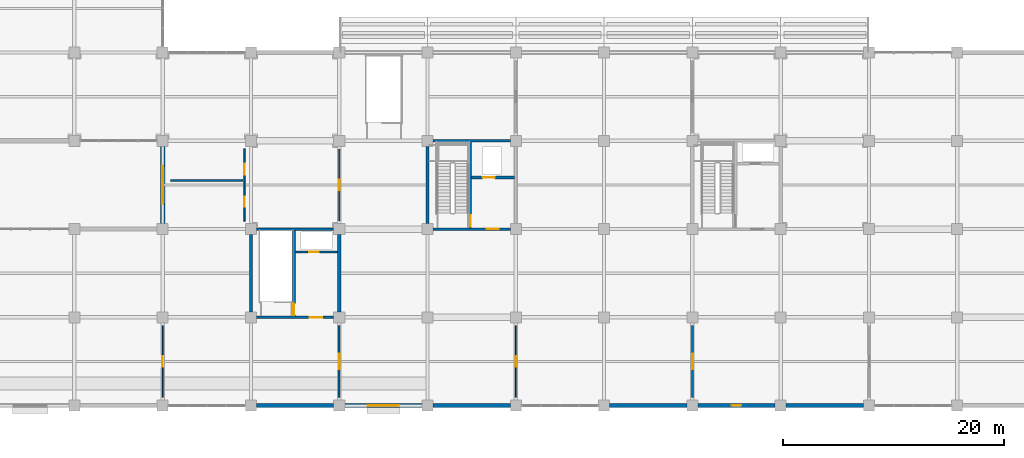
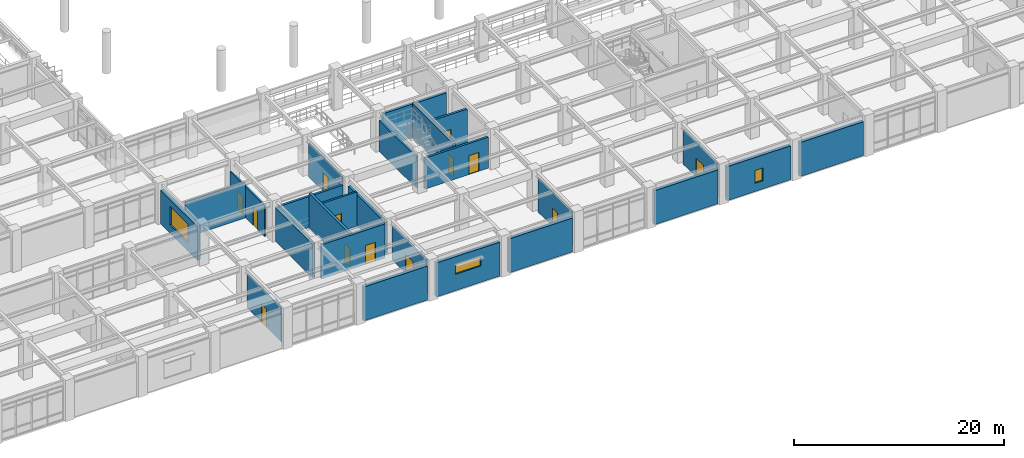
# One storey, part 72 of 117: 25 walls, 13 doors, 3 windows, 16 openings.
"""IFC4 building model written with IfcOpenShell, lengths in metres."""

from ifc_helpers import new_model, si_unit, direction, frame, frame_2d, origin, place, context, subcontext, project, spatial, rectangle, extrude, material, layer, layer_set, type_object, element, fill, save


model = new_model("IFC4")

# Units and contexts
model_context = context("Model", 3, precision=1e-05, world=origin(), true_north=direction((0.0, 1.0)))
body_context = subcontext(model_context, "Body", "Model", "MODEL_VIEW")
ifc_project = project(units=[si_unit("LENGTHUNIT", "METRE"), si_unit("AREAUNIT", "SQUARE_METRE"), si_unit("VOLUMEUNIT", "CUBIC_METRE"), si_unit("PLANEANGLEUNIT", "RADIAN"), si_unit("MASSUNIT", "GRAM", prefix="KILO")], contexts=[model_context])

# Site, building, storey
site_placement = place(None, origin())
site = spatial("IfcSite", under=ifc_project, at=site_placement, CompositionType="ELEMENT")
building_placement = place(site_placement, origin())
building = spatial("IfcBuilding", under=site, at=building_placement, Name="Haebicheon Civic Stadium", CompositionType="ELEMENT")
storey_placement = place(building_placement, frame((0.0, 0.0, 4.800048828125)))
storey = spatial("IfcBuildingStorey", under=building, at=storey_placement, Name="L02", CompositionType="ELEMENT", Elevation=4.800048828125)

# Wall, opening, door
ifc_material_1 = material(Name="Concrete C40/50", Category="concrete")
ifc_layer_1 = layer(ifc_material_1, 0.239990234375, Name="Concrete C40/50")
ifc_layer_set_1 = layer_set([ifc_layer_1], Name="Concrete C40/50")
wall_type_1 = type_object("IfcWallType", Name="CW-SHR-240", PredefinedType="SHEAR", material=ifc_layer_set_1)
wall_1_placement = place(storey_placement, frame((88.5, 16.0, 0.0), z_axis=(0.0, 0.0, 1.0), x_axis=(1.0, 0.0, 0.0)))
wall_1 = element("IfcWall", 1, at=wall_1_placement, inside=storey, type_object=wall_type_1, material=ifc_layer_set_1, Name="KC-06 L02 south core shear wall", PredefinedType="SHEAR", context=body_context, shape_type="SweptSolid", body=[
    extrude(rectangle(XDim=7.0, YDim=0.239990234375, at=frame_2d((3.5, 0.0))), origin(), (0.0, 0.0, 1.0), 3.60986328125),
])
opening_1_placement = place(wall_1_placement, frame((4.85009765625, 0.0, 0.0)))
opening_1 = element("IfcOpeningElement", 2, at=opening_1_placement, cuts=wall_1, Name="Opening D-L02-KC-06-LOB", PredefinedType="OPENING", context=body_context, shape_type="SweptSolid", body=[
    extrude(rectangle(XDim=1.10009765625, YDim=2.199951171875, at=frame_2d((0.550048828125, 1.10009765625))), frame((0.0, 0.1298828125, 0.0), z_axis=(0.0, -1.0, 0.0), x_axis=(1.0, 0.0, 0.0)), (0.0, 0.0, 1.0), 0.260009765625),
])
ifc_material_2 = material(Name="Galvanised painted steel SM355", Category="steel")
door_type_1 = type_object("IfcDoorType", Name="ID-FD-1100", OperationType="NOTDEFINED", PredefinedType="DOOR", material=ifc_material_2)
door_1_placement = place(opening_1_placement, origin())
door_1 = element("IfcDoor", 3, at=door_1_placement, inside=storey, type_object=door_type_1, material=ifc_material_2, Name="L02 KC-06 lobby fire door", OperationType="SINGLE_SWING_LEFT", OverallHeight=2.199951171875, OverallWidth=1.10009765625, PredefinedType="DOOR", context=body_context, shape_type="SweptSolid", body=[
    extrude(rectangle(XDim=1.10009765625, YDim=2.199951171875, at=frame_2d((0.550048828125, 1.10009765625))), frame((0.0, 0.02490234375, 0.0), z_axis=(0.0, -1.0, 0.0), x_axis=(1.0, 0.0, 0.0)), (0.0, 0.0, 1.0), 0.050048828125),
])
fill(opening_1, door_1)

# Walls
wall_2_placement = place(storey_placement, frame((88.5, 24.0, 0.0), z_axis=(0.0, 0.0, 1.0), x_axis=(1.0, 0.0, 0.0)))
element("IfcWall", 4, at=wall_2_placement, inside=storey, type_object=wall_type_1, material=ifc_layer_set_1, Name="KC-06 L02 north core shear wall", PredefinedType="SHEAR", context=body_context, shape_type="SweptSolid", body=[
    extrude(rectangle(XDim=7.0, YDim=0.239990234375, at=frame_2d((3.5, 0.0))), origin(), (0.0, 0.0, 1.0), 3.909912109375),
])
wall_3_placement = place(storey_placement, frame((88.0, 16.5, 0.0), z_axis=(0.0, 0.0, 1.0), x_axis=(0.0, 1.0, 0.0)))
element("IfcWall", 5, at=wall_3_placement, inside=storey, type_object=wall_type_1, material=ifc_layer_set_1, Name="KC-06 L02 west core shear wall", PredefinedType="SHEAR", context=body_context, shape_type="SweptSolid", body=[
    extrude(rectangle(XDim=7.0, YDim=0.239990234375, at=frame_2d((3.5, 0.0))), origin(), (0.0, 0.0, 1.0), 3.60986328125),
])

# Wall, opening, door
wall_4_placement = place(storey_placement, frame((91.8798828125, 16.1201171875, 0.0), z_axis=(0.0, 0.0, 1.0), x_axis=(0.0, 1.0, 0.0)))
wall_4 = element("IfcWall", 6, at=wall_4_placement, inside=storey, type_object=wall_type_1, material=ifc_layer_set_1, Name="KC-06 L02 stair-lobby dividing shear wall", PredefinedType="SHEAR", context=body_context, shape_type="SweptSolid", body=[
    extrude(rectangle(XDim=7.759765625, YDim=0.239990234375, at=frame_2d((3.8798828125, 0.0))), origin(), (0.0, 0.0, 1.0), 4.010009765625),
])
opening_2_placement = place(wall_4_placement, frame((0.080078125, 0.0, 0.0)))
opening_2 = element("IfcOpeningElement", 7, at=opening_2_placement, cuts=wall_4, Name="Opening D-L02-KC-06-STR", PredefinedType="OPENING", context=body_context, shape_type="SweptSolid", body=[
    extrude(rectangle(XDim=1.050048828125, YDim=2.14990234375, at=frame_2d((0.52490234375, 1.074951171875))), frame((0.0, 0.1298828125, 0.0), z_axis=(0.0, -1.0, 0.0), x_axis=(1.0, 0.0, 0.0)), (0.0, 0.0, 1.0), 0.260009765625),
])
ifc_material_3 = material(Name="Galvanised painted steel SM355", Category="steel")
door_type_2 = type_object("IfcDoorType", Name="ID-FD-1050", OperationType="NOTDEFINED", PredefinedType="DOOR", material=ifc_material_3)
door_2_placement = place(opening_2_placement, origin())
door_2 = element("IfcDoor", 8, at=door_2_placement, inside=storey, type_object=door_type_2, material=ifc_material_3, Name="L02 ST-06 stairwell escape door", OperationType="SINGLE_SWING_RIGHT", OverallHeight=2.14990234375, OverallWidth=1.050048828125, PredefinedType="DOOR", context=body_context, shape_type="SweptSolid", body=[
    extrude(rectangle(XDim=1.050048828125, YDim=2.14990234375, at=frame_2d((0.52490234375, 1.074951171875))), frame((0.0, 0.02490234375, 0.0), z_axis=(0.0, -1.0, 0.0), x_axis=(1.0, 0.0, 0.0)), (0.0, 0.0, 1.0), 0.050048828125),
])
fill(opening_2, door_2)

wall_5_placement = place(storey_placement, frame((92.0, 20.679931640625, 0.0), z_axis=(0.0, 0.0, 1.0), x_axis=(1.0, 0.0, 0.0)))
wall_5 = element("IfcWall", 9, at=wall_5_placement, inside=storey, type_object=wall_type_1, material=ifc_layer_set_1, Name="KC-06 L02 lift shaft front wall", PredefinedType="SHEAR", context=body_context, shape_type="SweptSolid", body=[
    extrude(rectangle(XDim=3.8798828125, YDim=0.239990234375, at=frame_2d((1.93994140625, 0.0))), origin(), (0.0, 0.0, 1.0), 3.909912109375),
])
opening_3_placement = place(wall_5_placement, frame((1.0, 0.0, 0.0)))
opening_3 = element("IfcOpeningElement", 10, at=opening_3_placement, cuts=wall_5, Name="Opening LD-05-L02", PredefinedType="OPENING", context=body_context, shape_type="SweptSolid", body=[
    extrude(rectangle(XDim=1.10009765625, YDim=2.14990234375, at=frame_2d((0.550048828125, 1.074951171875))), frame((0.0, 0.1298828125, 0.0), z_axis=(0.0, -1.0, 0.0), x_axis=(1.0, 0.0, 0.0)), (0.0, 0.0, 1.0), 0.260009765625),
])
ifc_material_4 = material(Name="Stainless steel 316", Category="steel")
door_type_3 = type_object("IfcDoorType", Name="ID-LD-1100", OperationType="NOTDEFINED", PredefinedType="DOOR", material=ifc_material_4)
door_3_placement = place(opening_3_placement, origin())
door_3 = element("IfcDoor", 11, at=door_3_placement, inside=storey, type_object=door_type_3, material=ifc_material_4, Name="LF-05 lift landing sliding door L02", OperationType="SLIDING_TO_LEFT", OverallHeight=2.14990234375, OverallWidth=1.10009765625, PredefinedType="DOOR", context=body_context, shape_type="SweptSolid", body=[
    extrude(rectangle(XDim=1.10009765625, YDim=2.14990234375, at=frame_2d((0.550048828125, 1.074951171875))), frame((0.0, 0.02490234375, 0.0), z_axis=(0.0, -1.0, 0.0), x_axis=(1.0, 0.0, 0.0)), (0.0, 0.0, 1.0), 0.050048828125),
])
fill(opening_3, door_3)

wall_6_placement = place(storey_placement, frame((72.5, 8.0, 0.0), z_axis=(0.0, 0.0, 1.0), x_axis=(1.0, 0.0, 0.0)))
wall_6 = element("IfcWall", 12, at=wall_6_placement, inside=storey, type_object=wall_type_1, material=ifc_layer_set_1, Name="KC-16 L02 south core shear wall", PredefinedType="SHEAR", context=body_context, shape_type="SweptSolid", body=[
    extrude(rectangle(XDim=7.0, YDim=0.239990234375, at=frame_2d((3.5, 0.0))), origin(), (0.0, 0.0, 1.0), 3.969970703125),
])
opening_4_placement = place(wall_6_placement, frame((4.85009765625, 0.0, 0.0)))
opening_4 = element("IfcOpeningElement", 13, at=opening_4_placement, cuts=wall_6, Name="Opening D-L02-KC-16-LOB", PredefinedType="OPENING", context=body_context, shape_type="SweptSolid", body=[
    extrude(rectangle(XDim=1.10009765625, YDim=2.199951171875, at=frame_2d((0.550048828125, 1.10009765625))), frame((0.0, 0.1298828125, 0.0), z_axis=(0.0, -1.0, 0.0), x_axis=(1.0, 0.0, 0.0)), (0.0, 0.0, 1.0), 0.260009765625),
])
door_4_placement = place(opening_4_placement, origin())
door_4 = element("IfcDoor", 14, at=door_4_placement, inside=storey, type_object=door_type_1, material=ifc_material_2, Name="L02 KC-16 lobby fire door", OperationType="SINGLE_SWING_RIGHT", OverallHeight=2.199951171875, OverallWidth=1.10009765625, PredefinedType="DOOR", context=body_context, shape_type="SweptSolid", body=[
    extrude(rectangle(XDim=1.10009765625, YDim=2.199951171875, at=frame_2d((0.550048828125, 1.10009765625))), frame((0.0, 0.02490234375, 0.0), z_axis=(0.0, -1.0, 0.0), x_axis=(1.0, 0.0, 0.0)), (0.0, 0.0, 1.0), 0.050048828125),
])
fill(opening_4, door_4)

# Walls
wall_7_placement = place(storey_placement, frame((72.5, 16.0, 0.0), z_axis=(0.0, 0.0, 1.0), x_axis=(1.0, 0.0, 0.0)))
element("IfcWall", 15, at=wall_7_placement, inside=storey, type_object=wall_type_1, material=ifc_layer_set_1, Name="KC-16 L02 north core shear wall", PredefinedType="SHEAR", context=body_context, shape_type="SweptSolid", body=[
    extrude(rectangle(XDim=7.0, YDim=0.239990234375, at=frame_2d((3.5, 0.0))), origin(), (0.0, 0.0, 1.0), 3.60986328125),
])
ifc_material_5 = material(Name="Concrete C40/50", Category="concrete")
ifc_layer_2 = layer(ifc_material_5, 0.300048828125, Name="Concrete C40/50")
ifc_layer_set_2 = layer_set([ifc_layer_2], Name="Concrete C40/50")
wall_type_2 = type_object("IfcWallType", Name="CW-SHR-300", PredefinedType="SHEAR", material=ifc_layer_set_2)
wall_8_placement = place(storey_placement, frame((72.0, 8.5, 0.0), z_axis=(0.0, 0.0, 1.0), x_axis=(0.0, 1.0, 0.0)))
element("IfcWall", 16, at=wall_8_placement, inside=storey, type_object=wall_type_2, material=ifc_layer_set_2, Name="KC-16 L02 west core shear wall", PredefinedType="SHEAR", context=body_context, shape_type="SweptSolid", body=[
    extrude(rectangle(XDim=7.0, YDim=0.300048828125, at=frame_2d((3.5, 0.0))), origin(), (0.0, 0.0, 1.0), 3.909912109375),
])
wall_9_placement = place(storey_placement, frame((80.0, 8.5, 0.0), z_axis=(0.0, 0.0, 1.0), x_axis=(0.0, 1.0, 0.0)))
element("IfcWall", 17, at=wall_9_placement, inside=storey, type_object=wall_type_2, material=ifc_layer_set_2, Name="KC-16 L02 east core shear wall", PredefinedType="SHEAR", context=body_context, shape_type="SweptSolid", body=[
    extrude(rectangle(XDim=7.0, YDim=0.300048828125, at=frame_2d((3.5, 0.0))), origin(), (0.0, 0.0, 1.0), 3.60986328125),
])

# Wall, opening, door
wall_10_placement = place(storey_placement, frame((75.8798828125, 8.1201171875, 0.0), z_axis=(0.0, 0.0, 1.0), x_axis=(0.0, 1.0, 0.0)))
wall_10 = element("IfcWall", 18, at=wall_10_placement, inside=storey, type_object=wall_type_2, material=ifc_layer_set_2, Name="KC-16 L02 stair-lobby dividing shear wall", PredefinedType="SHEAR", context=body_context, shape_type="SweptSolid", body=[
    extrude(rectangle(XDim=7.759765625, YDim=0.300048828125, at=frame_2d((3.8798828125, 0.0))), origin(), (0.0, 0.0, 1.0), 4.010009765625),
])
opening_5_placement = place(wall_10_placement, frame((0.080078125, 0.0, 0.0)))
opening_5 = element("IfcOpeningElement", 19, at=opening_5_placement, cuts=wall_10, Name="Opening D-L02-KC-16-STR", PredefinedType="OPENING", context=body_context, shape_type="SweptSolid", body=[
    extrude(rectangle(XDim=1.050048828125, YDim=2.14990234375, at=frame_2d((0.52490234375, 1.074951171875))), frame((0.0, 0.159912109375, 0.0), z_axis=(0.0, -1.0, 0.0), x_axis=(1.0, 0.0, 0.0)), (0.0, 0.0, 1.0), 0.320068359375),
])
door_5_placement = place(opening_5_placement, origin())
door_5 = element("IfcDoor", 20, at=door_5_placement, inside=storey, type_object=door_type_2, material=ifc_material_3, Name="L02 ST-16 stairwell escape door", OperationType="SINGLE_SWING_LEFT", OverallHeight=2.14990234375, OverallWidth=1.050048828125, PredefinedType="DOOR", context=body_context, shape_type="SweptSolid", body=[
    extrude(rectangle(XDim=1.050048828125, YDim=2.14990234375, at=frame_2d((0.52490234375, 1.074951171875))), frame((0.0, 0.02490234375, 0.0), z_axis=(0.0, -1.0, 0.0), x_axis=(1.0, 0.0, 0.0)), (0.0, 0.0, 1.0), 0.050048828125),
])
fill(opening_5, door_5)

# Wall, opening, window
ifc_material_6 = material(Name="Concrete C40/50", Category="concrete")
ifc_layer_3 = layer(ifc_material_6, 0.3798828125, Name="Concrete C40/50")
ifc_layer_set_3 = layer_set([ifc_layer_3], Name="Concrete C40/50")
wall_type_3 = type_object("IfcWallType", Name="EW-BM-380", PredefinedType="SOLIDWALL", material=ifc_layer_set_3)
wall_11_placement = place(storey_placement, frame((64.0, 16.5, 0.0), z_axis=(0.0, 0.0, 1.0), x_axis=(0.0, 1.0, 0.0)))
wall_11 = element("IfcWall", 21, at=wall_11_placement, inside=storey, type_object=wall_type_3, material=ifc_layer_set_3, Name="L02 board-marked concrete facade wall 08-02-W", PredefinedType="SOLIDWALL", context=body_context, shape_type="SweptSolid", body=[
    extrude(rectangle(XDim=7.0, YDim=0.3798828125, at=frame_2d((3.5, 0.0))), origin(), (0.0, 0.0, 1.0), 3.909912109375),
])
opening_6_placement = place(wall_11_placement, frame((1.77490234375, 0.0, 0.949951171875)))
opening_6 = element("IfcOpeningElement", 22, at=opening_6_placement, cuts=wall_11, Name="Opening WIN-345x220", PredefinedType="OPENING", context=body_context, shape_type="SweptSolid", body=[
    extrude(rectangle(XDim=3.449951171875, YDim=2.199951171875, at=frame_2d((1.72509765625, 1.10009765625))), frame((0.0, 0.199951171875, 0.0), z_axis=(0.0, -1.0, 0.0), x_axis=(1.0, 0.0, 0.0)), (0.0, 0.0, 1.0), 0.39990234375),
])
ifc_material_7 = material(Name="Anodised aluminium and laminated glass", Category="aluminium")
window_type_1 = type_object("IfcWindowType", Name="WIN-345x220", PartitioningType="SINGLE_PANEL", PredefinedType="WINDOW", material=ifc_material_7)
window_1_placement = place(opening_6_placement, origin())
window_1 = element("IfcWindow", 23, at=window_1_placement, inside=storey, type_object=window_type_1, material=ifc_material_7, Name="L02 facade window 040", OverallHeight=2.199951171875, OverallWidth=3.449951171875, PartitioningType="SINGLE_PANEL", PredefinedType="WINDOW", context=body_context, shape_type="SweptSolid", body=[
    extrude(rectangle(XDim=3.449951171875, YDim=2.199951171875, at=frame_2d((1.72509765625, 1.10009765625))), frame((0.0, 0.030029296875, 0.0), z_axis=(0.0, -1.0, 0.0), x_axis=(1.0, 0.0, 0.0)), (0.0, 0.0, 1.0), 0.06005859375),
])
fill(opening_6, window_1)

# Wall
wall_12_placement = place(storey_placement, frame((72.5, 0.0, 0.0), z_axis=(0.0, 0.0, 1.0), x_axis=(1.0, 0.0, 0.0)))
element("IfcWall", 24, at=wall_12_placement, inside=storey, type_object=wall_type_3, material=ifc_layer_set_3, Name="L02 board-marked concrete facade wall 09-00-S", PredefinedType="SOLIDWALL", context=body_context, shape_type="SweptSolid", body=[
    extrude(rectangle(XDim=7.0, YDim=0.3798828125, at=frame_2d((3.5, 0.0))), origin(), (0.0, 0.0, 1.0), 3.949951171875),
])

# Wall, opening, window
wall_13_placement = place(storey_placement, frame((80.5, 0.0, 0.0), z_axis=(0.0, 0.0, 1.0), x_axis=(1.0, 0.0, 0.0)))
wall_13 = element("IfcWall", 25, at=wall_13_placement, inside=storey, type_object=wall_type_3, material=ifc_layer_set_3, Name="L02 board-marked concrete facade wall 10-00-S", PredefinedType="SOLIDWALL", context=body_context, shape_type="SweptSolid", body=[
    extrude(rectangle(XDim=7.0, YDim=0.3798828125, at=frame_2d((3.5, 0.0))), origin(), (0.0, 0.0, 1.0), 3.949951171875),
])
opening_7_placement = place(wall_13_placement, frame((2.10009765625, 0.0, 1.89990234375)))
opening_7 = element("IfcOpeningElement", 26, at=opening_7_placement, cuts=wall_13, Name="Opening WIN-280x110", PredefinedType="OPENING", context=body_context, shape_type="SweptSolid", body=[
    extrude(rectangle(XDim=2.800048828125, YDim=1.10009765625, at=frame_2d((1.39990234375, 0.550048828125))), frame((0.0, 0.199951171875, 0.0), z_axis=(0.0, -1.0, 0.0), x_axis=(1.0, 0.0, 0.0)), (0.0, 0.0, 1.0), 0.39990234375),
])
ifc_material_8 = material(Name="Anodised aluminium and laminated glass", Category="aluminium")
window_type_2 = type_object("IfcWindowType", Name="WIN-280x110", PartitioningType="SINGLE_PANEL", PredefinedType="LIGHTDOME", material=ifc_material_8)
window_2_placement = place(opening_7_placement, origin())
window_2 = element("IfcWindow", 27, at=window_2_placement, inside=storey, type_object=window_type_2, material=ifc_material_8, Name="L02 facade window 043", OverallHeight=1.10009765625, OverallWidth=2.800048828125, PartitioningType="SINGLE_PANEL", PredefinedType="LIGHTDOME", context=body_context, shape_type="SweptSolid", body=[
    extrude(rectangle(XDim=2.800048828125, YDim=1.10009765625, at=frame_2d((1.39990234375, 0.550048828125))), frame((0.0, 0.030029296875, 0.0), z_axis=(0.0, -1.0, 0.0), x_axis=(1.0, 0.0, 0.0)), (0.0, 0.0, 1.0), 0.06005859375),
])
fill(opening_7, window_2)

# Walls
for number, where, z_axis, x_axis, name in (
    (28, (88.5, 0.0, 0.0), (0.0, 0.0, 1.0), (1.0, 0.0, 0.0), "L02 board-marked concrete facade wall 11-00-S"),
    (29, (104.5, 0.0, 0.0), (0.0, 0.0, 1.0), (1.0, 0.0, 0.0), "L02 board-marked concrete facade wall 13-00-S"),
):
    element("IfcWall", number, at=place(storey_placement, frame(where, z_axis=z_axis, x_axis=x_axis)), inside=storey, type_object=wall_type_3, material=ifc_layer_set_3, Name=name, PredefinedType="SOLIDWALL", context=body_context, shape_type="SweptSolid", body=[
        extrude(rectangle(XDim=7.0, YDim=0.3798828125, at=frame_2d((3.5, 0.0))), origin(), (0.0, 0.0, 1.0), 3.949951171875),
    ])

# Wall, opening, window
wall_14_placement = place(storey_placement, frame((112.5, 0.0, 0.0), z_axis=(0.0, 0.0, 1.0), x_axis=(1.0, 0.0, 0.0)))
wall_14 = element("IfcWall", 30, at=wall_14_placement, inside=storey, type_object=wall_type_3, material=ifc_layer_set_3, Name="L02 board-marked concrete facade wall 14-00-S", PredefinedType="SOLIDWALL", context=body_context, shape_type="SweptSolid", body=[
    extrude(rectangle(XDim=7.0, YDim=0.3798828125, at=frame_2d((3.5, 0.0))), origin(), (0.0, 0.0, 1.0), 3.949951171875),
])
opening_8_placement = place(wall_14_placement, frame((3.050048828125, 0.0, 0.949951171875)))
opening_8 = element("IfcOpeningElement", 31, at=opening_8_placement, cuts=wall_14, Name="Opening WIN-090x150", PredefinedType="OPENING", context=body_context, shape_type="SweptSolid", body=[
    extrude(rectangle(XDim=0.89990234375, YDim=1.5, at=frame_2d((0.449951171875, 0.75))), frame((0.0, 0.199951171875, 0.0), z_axis=(0.0, -1.0, 0.0), x_axis=(1.0, 0.0, 0.0)), (0.0, 0.0, 1.0), 0.39990234375),
])
ifc_material_9 = material(Name="Anodised aluminium and laminated glass", Category="aluminium")
window_type_3 = type_object("IfcWindowType", Name="WIN-090x150", PartitioningType="SINGLE_PANEL", PredefinedType="WINDOW", material=ifc_material_9)
window_3_placement = place(opening_8_placement, origin())
window_3 = element("IfcWindow", 32, at=window_3_placement, inside=storey, type_object=window_type_3, material=ifc_material_9, Name="L02 facade window 045", OverallHeight=1.5, OverallWidth=0.89990234375, PartitioningType="SINGLE_PANEL", PredefinedType="WINDOW", context=body_context, shape_type="SweptSolid", body=[
    extrude(rectangle(XDim=0.89990234375, YDim=1.5, at=frame_2d((0.449951171875, 0.75))), frame((0.0, 0.030029296875, 0.0), z_axis=(0.0, -1.0, 0.0), x_axis=(1.0, 0.0, 0.0)), (0.0, 0.0, 1.0), 0.06005859375),
])
fill(opening_8, window_3)

# Wall
wall_15_placement = place(storey_placement, frame((120.5, 0.0, 0.0), z_axis=(0.0, 0.0, 1.0), x_axis=(1.0, 0.0, 0.0)))
element("IfcWall", 33, at=wall_15_placement, inside=storey, type_object=wall_type_3, material=ifc_layer_set_3, Name="L02 board-marked concrete facade wall 15-00-S", PredefinedType="SOLIDWALL", context=body_context, shape_type="SweptSolid", body=[
    extrude(rectangle(XDim=7.0, YDim=0.3798828125, at=frame_2d((3.5, 0.0))), origin(), (0.0, 0.0, 1.0), 3.949951171875),
])

# Wall, opening, door
ifc_material_10 = material(Name="Concrete C35/45", Category="concrete")
ifc_layer_4 = layer(ifc_material_10, 0.199951171875, Name="Concrete C35/45")
ifc_layer_set_4 = layer_set([ifc_layer_4], Name="Concrete C35/45")
wall_type_4 = type_object("IfcWallType", Name="IW-FIR-200", PredefinedType="PARTITIONING", material=ifc_layer_set_4)
wall_16_placement = place(storey_placement, frame((76.030029296875, 13.919921875, 0.0), z_axis=(0.0, 0.0, 1.0), x_axis=(1.0, 0.0, 0.0)))
wall_16 = element("IfcWall", 34, at=wall_16_placement, inside=storey, type_object=wall_type_4, material=ifc_layer_set_4, Name="KC-16 L02 service riser wall", PredefinedType="PARTITIONING", context=body_context, shape_type="SweptSolid", body=[
    extrude(rectangle(XDim=3.820068359375, YDim=0.199951171875, at=frame_2d((1.91015625, 0.0))), origin(), (0.0, 0.0, 1.0), 3.969970703125),
])
opening_9_placement = place(wall_16_placement, frame((1.25, 0.0, 0.0)))
opening_9 = element("IfcOpeningElement", 35, at=opening_9_placement, cuts=wall_16, Name="Opening D-L02-KC-16-RSR", PredefinedType="OPENING", context=body_context, shape_type="SweptSolid", body=[
    extrude(rectangle(XDim=0.85009765625, YDim=2.050048828125, at=frame_2d((0.425048828125, 1.02490234375))), frame((0.0, 0.10986328125, 0.0), z_axis=(0.0, -1.0, 0.0), x_axis=(1.0, 0.0, 0.0)), (0.0, 0.0, 1.0), 0.219970703125),
])
ifc_material_11 = material(Name="Galvanised painted steel SM355", Category="steel")
door_type_4 = type_object("IfcDoorType", Name="ID-RSR-0850", OperationType="NOTDEFINED", PredefinedType="TRAPDOOR", material=ifc_material_11)
door_6_placement = place(opening_9_placement, origin())
door_6 = element("IfcDoor", 36, at=door_6_placement, inside=storey, type_object=door_type_4, material=ifc_material_11, Name="L02 KC-16 riser access door", OperationType="SINGLE_SWING_RIGHT", OverallHeight=2.050048828125, OverallWidth=0.85009765625, PredefinedType="TRAPDOOR", context=body_context, shape_type="SweptSolid", body=[
    extrude(rectangle(XDim=0.85009765625, YDim=2.050048828125, at=frame_2d((0.425048828125, 1.02490234375))), frame((0.0, 0.02490234375, 0.0), z_axis=(0.0, -1.0, 0.0), x_axis=(1.0, 0.0, 0.0)), (0.0, 0.0, 1.0), 0.050048828125),
])
fill(opening_9, door_6)

# Wall
ifc_material_12 = material(Name="Concrete C35/45", Category="concrete")
ifc_layer_5 = layer(ifc_material_12, 0.219970703125, Name="Concrete C35/45")
ifc_layer_set_5 = layer_set([ifc_layer_5], Name="Concrete C35/45")
wall_type_5 = type_object("IfcWallType", Name="IW-PLB-220", PredefinedType="PLUMBINGWALL", material=ifc_layer_set_5)
wall_17_placement = place(storey_placement, frame((64.719970703125, 20.39990234375, 0.0), z_axis=(0.0, 0.0, 1.0), x_axis=(1.0, 0.0, 0.0)))
element("IfcWall", 37, at=wall_17_placement, inside=storey, type_object=wall_type_5, material=ifc_layer_set_5, Name="L02 sanitary plumbing chase wall 08", PredefinedType="PLUMBINGWALL", context=body_context, shape_type="SweptSolid", body=[
    extrude(rectangle(XDim=6.56005859375, YDim=0.219970703125, at=frame_2d((3.280029296875, 0.0))), origin(), (0.0, 0.0, 1.0), 4.10986328125),
])

# Wall, opening, door
ifc_material_13 = material(Name="Anodised aluminium and laminated glass", Category="aluminium")
ifc_layer_6 = layer(ifc_material_13, 0.10009765625, Name="Anodised aluminium and laminated glass")
ifc_layer_set_6 = layer_set([ifc_layer_6], Name="Anodised aluminium and laminated glass")
wall_type_6 = type_object("IfcWallType", Name="IW-PRT-100", PredefinedType="PARTITIONING", material=ifc_layer_set_6)
wall_18_placement = place(storey_placement, frame((80.0, 16.75, 0.0), z_axis=(0.0, 0.0, 1.0), x_axis=(0.0, 1.0, 0.0)))
wall_18 = element("IfcWall", 38, at=wall_18_placement, inside=storey, type_object=wall_type_6, material=ifc_layer_set_6, Name="L02 Merchandise Kiosk partition wall", PredefinedType="PARTITIONING", context=body_context, shape_type="SweptSolid", body=[
    extrude(rectangle(XDim=6.5, YDim=0.10009765625, at=frame_2d((3.25, 0.0))), origin(), (0.0, 0.0, 1.0), 3.909912109375),
])
opening_10_placement = place(wall_18_placement, frame((2.77490234375, 0.0, 0.0)))
opening_10 = element("IfcOpeningElement", 39, at=opening_10_placement, cuts=wall_18, Name="Opening D-L02-209", PredefinedType="OPENING", context=body_context, shape_type="SweptSolid", body=[
    extrude(rectangle(XDim=0.949951171875, YDim=2.10009765625, at=frame_2d((0.47509765625, 1.050048828125))), frame((0.0, 0.06005859375, 0.0), z_axis=(0.0, -1.0, 0.0), x_axis=(1.0, 0.0, 0.0)), (0.0, 0.0, 1.0), 0.1201171875),
])
ifc_material_14 = material(Name="Engineered hardwood timber", Category="wood")
door_type_5 = type_object("IfcDoorType", Name="ID-RM-0950", OperationType="NOTDEFINED", PredefinedType="DOOR", material=ifc_material_14)
door_7_placement = place(opening_10_placement, origin())
door_7 = element("IfcDoor", 40, at=door_7_placement, inside=storey, type_object=door_type_5, material=ifc_material_14, Name="L02 Merchandise Kiosk entrance door D-L02-209", OperationType="SINGLE_SWING_LEFT", OverallHeight=2.10009765625, OverallWidth=0.949951171875, PredefinedType="DOOR", context=body_context, shape_type="SweptSolid", body=[
    extrude(rectangle(XDim=0.949951171875, YDim=2.10009765625, at=frame_2d((0.47509765625, 1.050048828125))), frame((0.0, 0.02490234375, 0.0), z_axis=(0.0, -1.0, 0.0), x_axis=(1.0, 0.0, 0.0)), (0.0, 0.0, 1.0), 0.050048828125),
])
fill(opening_10, door_7)

wall_19_placement = place(storey_placement, frame((64.0, 0.75, 0.0), z_axis=(0.0, 0.0, 1.0), x_axis=(0.0, 1.0, 0.0)))
wall_19 = element("IfcWall", 41, at=wall_19_placement, inside=storey, type_object=wall_type_6, material=ifc_layer_set_6, Name="L02 Broadcast Technical Rack Room partition wall", PredefinedType="PARTITIONING", context=body_context, shape_type="SweptSolid", body=[
    extrude(rectangle(XDim=6.5, YDim=0.10009765625, at=frame_2d((3.25, 0.0))), origin(), (0.0, 0.0, 1.0), 3.969970703125),
])
opening_11_placement = place(wall_19_placement, frame((2.77490234375, 0.0, 0.0)))
opening_11 = element("IfcOpeningElement", 42, at=opening_11_placement, cuts=wall_19, Name="Opening D-L02-259", PredefinedType="OPENING", context=body_context, shape_type="SweptSolid", body=[
    extrude(rectangle(XDim=0.949951171875, YDim=2.10009765625, at=frame_2d((0.47509765625, 1.050048828125))), frame((0.0, 0.06005859375, 0.0), z_axis=(0.0, -1.0, 0.0), x_axis=(1.0, 0.0, 0.0)), (0.0, 0.0, 1.0), 0.1201171875),
])
door_8_placement = place(opening_11_placement, origin())
door_8 = element("IfcDoor", 43, at=door_8_placement, inside=storey, type_object=door_type_5, material=ifc_material_14, Name="L02 Broadcast Technical Rack Room entrance door D-L02-259", OperationType="SINGLE_SWING_RIGHT", OverallHeight=2.10009765625, OverallWidth=0.949951171875, PredefinedType="DOOR", context=body_context, shape_type="SweptSolid", body=[
    extrude(rectangle(XDim=0.949951171875, YDim=2.10009765625, at=frame_2d((0.47509765625, 1.050048828125))), frame((0.0, 0.02490234375, 0.0), z_axis=(0.0, -1.0, 0.0), x_axis=(1.0, 0.0, 0.0)), (0.0, 0.0, 1.0), 0.050048828125),
])
fill(opening_11, door_8)

wall_20_placement = place(storey_placement, frame((96.0, 0.75, 0.0), z_axis=(0.0, 0.0, 1.0), x_axis=(0.0, 1.0, 0.0)))
wall_20 = element("IfcWall", 44, at=wall_20_placement, inside=storey, type_object=wall_type_6, material=ifc_layer_set_6, Name="L02 Broadcast Technical Rack Room partition wall", PredefinedType="PARTITIONING", context=body_context, shape_type="SweptSolid", body=[
    extrude(rectangle(XDim=6.5, YDim=0.10009765625, at=frame_2d((3.25, 0.0))), origin(), (0.0, 0.0, 1.0), 3.969970703125),
])
opening_12_placement = place(wall_20_placement, frame((2.77490234375, 0.0, 0.0)))
opening_12 = element("IfcOpeningElement", 45, at=opening_12_placement, cuts=wall_20, Name="Opening D-L02-261", PredefinedType="OPENING", context=body_context, shape_type="SweptSolid", body=[
    extrude(rectangle(XDim=0.949951171875, YDim=2.10009765625, at=frame_2d((0.47509765625, 1.050048828125))), frame((0.0, 0.06005859375, 0.0), z_axis=(0.0, -1.0, 0.0), x_axis=(1.0, 0.0, 0.0)), (0.0, 0.0, 1.0), 0.1201171875),
])
door_9_placement = place(opening_12_placement, origin())
door_9 = element("IfcDoor", 46, at=door_9_placement, inside=storey, type_object=door_type_5, material=ifc_material_14, Name="L02 Broadcast Technical Rack Room entrance door D-L02-261", OperationType="SINGLE_SWING_RIGHT", OverallHeight=2.10009765625, OverallWidth=0.949951171875, PredefinedType="DOOR", context=body_context, shape_type="SweptSolid", body=[
    extrude(rectangle(XDim=0.949951171875, YDim=2.10009765625, at=frame_2d((0.47509765625, 1.050048828125))), frame((0.0, 0.02490234375, 0.0), z_axis=(0.0, -1.0, 0.0), x_axis=(1.0, 0.0, 0.0)), (0.0, 0.0, 1.0), 0.050048828125),
])
fill(opening_12, door_9)

# Wall, openings, doors
ifc_material_15 = material(Name="Gypsum plasterboard on steel studs", Category="gypsum")
ifc_layer_7 = layer(ifc_material_15, 0.14990234375, Name="Gypsum plasterboard on steel studs")
ifc_layer_set_7 = layer_set([ifc_layer_7], Name="Gypsum plasterboard on steel studs")
wall_type_7 = type_object("IfcWallType", Name="IW-PRT-150", PredefinedType="PARTITIONING", material=ifc_layer_set_7)
wall_21_placement = place(storey_placement, frame((71.39990234375, 16.719970703125, 0.0), z_axis=(0.0, 0.0, 1.0), x_axis=(0.0, 1.0, 0.0)))
wall_21 = element("IfcWall", 47, at=wall_21_placement, inside=storey, type_object=wall_type_7, material=ifc_layer_set_7, Name="L02 sanitary enclosure front wall 08", PredefinedType="PARTITIONING", context=body_context, shape_type="SweptSolid", body=[
    extrude(rectangle(XDim=6.56005859375, YDim=0.14990234375, at=frame_2d((3.280029296875, 0.0))), origin(), (0.0, 0.0, 1.0), 3.60986328125),
])
opening_13_placement = place(wall_21_placement, frame((1.300048828125, 0.0, 0.0)))
opening_13 = element("IfcOpeningElement", 48, at=opening_13_placement, cuts=wall_21, Name="Opening D-L02-WC-08A", PredefinedType="OPENING", context=body_context, shape_type="SweptSolid", body=[
    extrude(rectangle(XDim=0.89990234375, YDim=2.10009765625, at=frame_2d((0.449951171875, 1.050048828125))), frame((0.0, 0.0849609375, 0.0), z_axis=(0.0, -1.0, 0.0), x_axis=(1.0, 0.0, 0.0)), (0.0, 0.0, 1.0), 0.169921875),
])
opening_14_placement = place(wall_21_placement, frame((4.199951171875, 0.0, 0.0)))
opening_14 = element("IfcOpeningElement", 49, at=opening_14_placement, cuts=wall_21, Name="Opening D-L02-AWC-08B", PredefinedType="OPENING", context=body_context, shape_type="SweptSolid", body=[
    extrude(rectangle(XDim=1.0, YDim=2.14990234375, at=frame_2d((0.5, 1.074951171875))), frame((0.0, 0.0849609375, 0.0), z_axis=(0.0, -1.0, 0.0), x_axis=(1.0, 0.0, 0.0)), (0.0, 0.0, 1.0), 0.169921875),
])
ifc_material_16 = material(Name="Anodised aluminium 6063-T6", Category="aluminium")
door_type_6 = type_object("IfcDoorType", Name="ID-AWC-1000", OperationType="NOTDEFINED", PredefinedType="DOOR", material=ifc_material_16)
door_10_placement = place(opening_14_placement, origin())
door_10 = element("IfcDoor", 50, at=door_10_placement, inside=storey, type_object=door_type_6, material=ifc_material_16, Name="L02 accessible WC door 08", OperationType="SINGLE_SWING_LEFT", OverallHeight=2.14990234375, OverallWidth=1.0, PredefinedType="DOOR", context=body_context, shape_type="SweptSolid", body=[
    extrude(rectangle(XDim=1.0, YDim=2.14990234375, at=frame_2d((0.5, 1.074951171875))), frame((0.0, 0.02490234375, 0.0), z_axis=(0.0, -1.0, 0.0), x_axis=(1.0, 0.0, 0.0)), (0.0, 0.0, 1.0), 0.050048828125),
])
fill(opening_14, door_10)
ifc_material_17 = material(Name="Anodised aluminium 6063-T6", Category="aluminium")
door_type_7 = type_object("IfcDoorType", Name="ID-WC-0900", OperationType="NOTDEFINED", PredefinedType="DOOR", material=ifc_material_17)
door_11_placement = place(opening_13_placement, origin())
door_11 = element("IfcDoor", 51, at=door_11_placement, inside=storey, type_object=door_type_7, material=ifc_material_17, Name="L02 public restroom door 08", OperationType="SINGLE_SWING_RIGHT", OverallHeight=2.10009765625, OverallWidth=0.89990234375, PredefinedType="DOOR", context=body_context, shape_type="SweptSolid", body=[
    extrude(rectangle(XDim=0.89990234375, YDim=2.10009765625, at=frame_2d((0.449951171875, 1.050048828125))), frame((0.0, 0.02490234375, 0.0), z_axis=(0.0, -1.0, 0.0), x_axis=(1.0, 0.0, 0.0)), (0.0, 0.0, 1.0), 0.050048828125),
])
fill(opening_13, door_11)

# Wall, opening, door
ifc_material_18 = material(Name="Concrete C35/45", Category="concrete")
ifc_layer_8 = layer(ifc_material_18, 0.179931640625, Name="Concrete C35/45")
ifc_layer_set_8 = layer_set([ifc_layer_8], Name="Concrete C35/45")
wall_type_8 = type_object("IfcWallType", Name="IW-PRT-180", PredefinedType="PARTITIONING", material=ifc_layer_set_8)
wall_22_placement = place(storey_placement, frame((80.0, 0.75, 0.0), z_axis=(0.0, 0.0, 1.0), x_axis=(0.0, 1.0, 0.0)))
wall_22 = element("IfcWall", 52, at=wall_22_placement, inside=storey, type_object=wall_type_8, material=ifc_layer_set_8, Name="L02 Acoustic Heat-Pump Plant partition wall", PredefinedType="PARTITIONING", context=body_context, shape_type="SweptSolid", body=[
    extrude(rectangle(XDim=6.5, YDim=0.179931640625, at=frame_2d((3.25, 0.0))), origin(), (0.0, 0.0, 1.0), 3.969970703125),
])
opening_15_placement = place(wall_22_placement, frame((2.550048828125, 0.0, 0.0)))
opening_15 = element("IfcOpeningElement", 53, at=opening_15_placement, cuts=wall_22, Name="Opening D-L02-260", PredefinedType="OPENING", context=body_context, shape_type="SweptSolid", body=[
    extrude(rectangle(XDim=1.39990234375, YDim=2.199951171875, at=frame_2d((0.699951171875, 1.10009765625))), frame((0.0, 0.099853515625, 0.0), z_axis=(0.0, -1.0, 0.0), x_axis=(1.0, 0.0, 0.0)), (0.0, 0.0, 1.0), 0.199951171875),
])
ifc_material_19 = material(Name="Galvanised painted steel SM355", Category="steel")
door_type_8 = type_object("IfcDoorType", Name="ID-PLT-1400", OperationType="NOTDEFINED", PredefinedType="DOOR", material=ifc_material_19)
door_12_placement = place(opening_15_placement, origin())
door_12 = element("IfcDoor", 54, at=door_12_placement, inside=storey, type_object=door_type_8, material=ifc_material_19, Name="L02 Acoustic Heat-Pump Plant entrance door D-L02-260", OperationType="SINGLE_SWING_LEFT", OverallHeight=2.199951171875, OverallWidth=1.39990234375, PredefinedType="DOOR", context=body_context, shape_type="SweptSolid", body=[
    extrude(rectangle(XDim=1.39990234375, YDim=2.199951171875, at=frame_2d((0.699951171875, 1.10009765625))), frame((0.0, 0.02490234375, 0.0), z_axis=(0.0, -1.0, 0.0), x_axis=(1.0, 0.0, 0.0)), (0.0, 0.0, 1.0), 0.050048828125),
])
fill(opening_15, door_12)

wall_23_placement = place(storey_placement, frame((112.0, 0.75, 0.0), z_axis=(0.0, 0.0, 1.0), x_axis=(0.0, 1.0, 0.0)))
wall_23 = element("IfcWall", 55, at=wall_23_placement, inside=storey, type_object=wall_type_8, material=ifc_layer_set_8, Name="L02 Acoustic Heat-Pump Plant partition wall", PredefinedType="PARTITIONING", context=body_context, shape_type="SweptSolid", body=[
    extrude(rectangle(XDim=6.5, YDim=0.179931640625, at=frame_2d((3.25, 0.0))), origin(), (0.0, 0.0, 1.0), 3.969970703125),
])
opening_16_placement = place(wall_23_placement, frame((2.550048828125, 0.0, 0.0)))
opening_16 = element("IfcOpeningElement", 56, at=opening_16_placement, cuts=wall_23, Name="Opening D-L02-262", PredefinedType="OPENING", context=body_context, shape_type="SweptSolid", body=[
    extrude(rectangle(XDim=1.39990234375, YDim=2.199951171875, at=frame_2d((0.699951171875, 1.10009765625))), frame((0.0, 0.099853515625, 0.0), z_axis=(0.0, -1.0, 0.0), x_axis=(1.0, 0.0, 0.0)), (0.0, 0.0, 1.0), 0.199951171875),
])
door_13_placement = place(opening_16_placement, origin())
door_13 = element("IfcDoor", 57, at=door_13_placement, inside=storey, type_object=door_type_8, material=ifc_material_19, Name="L02 Acoustic Heat-Pump Plant entrance door D-L02-262", OperationType="SINGLE_SWING_LEFT", OverallHeight=2.199951171875, OverallWidth=1.39990234375, PredefinedType="DOOR", context=body_context, shape_type="SweptSolid", body=[
    extrude(rectangle(XDim=1.39990234375, YDim=2.199951171875, at=frame_2d((0.699951171875, 1.10009765625))), frame((0.0, 0.02490234375, 0.0), z_axis=(0.0, -1.0, 0.0), x_axis=(1.0, 0.0, 0.0)), (0.0, 0.0, 1.0), 0.050048828125),
])
fill(opening_16, door_13)

save(model, "model.ifc")
